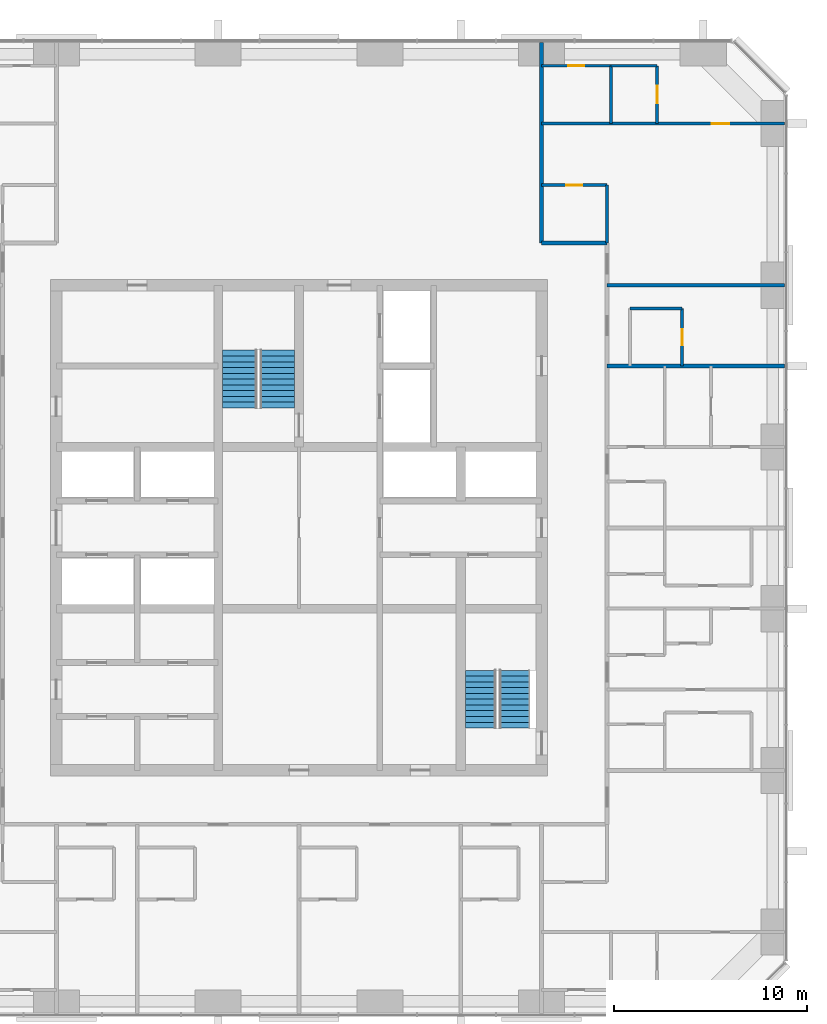
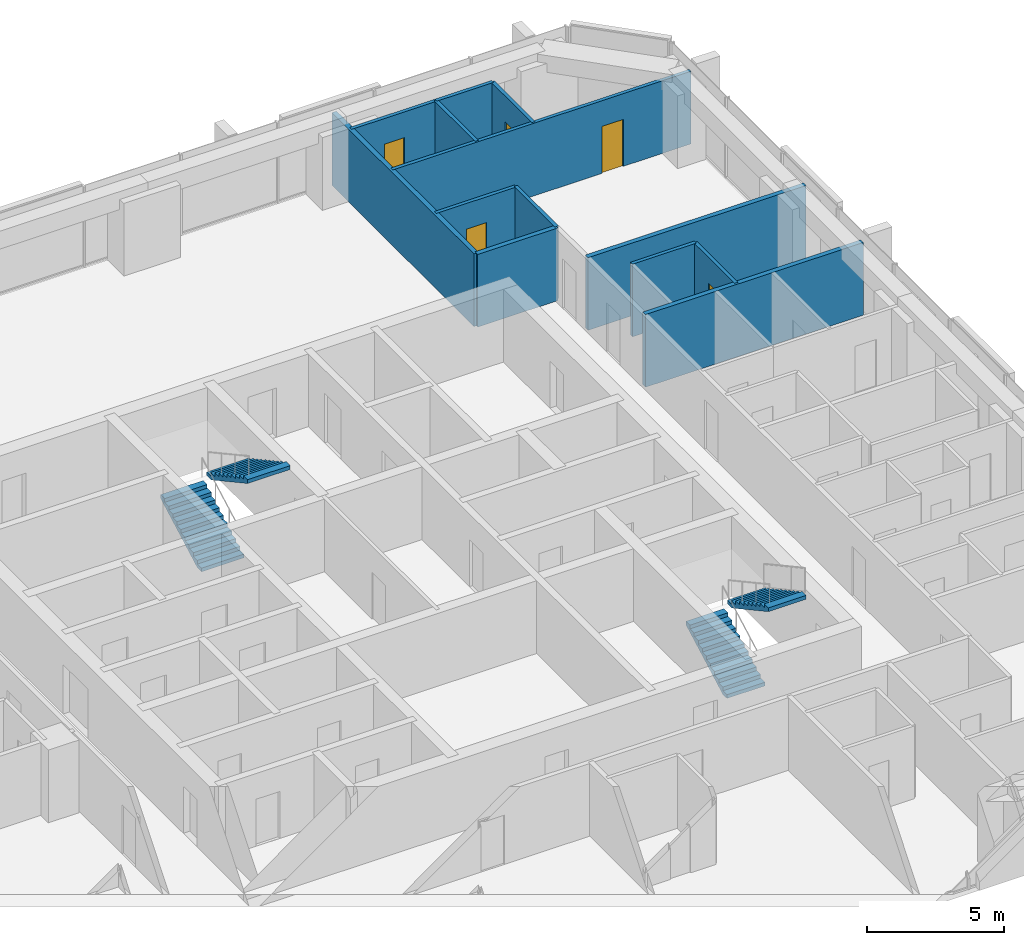
# One storey, part 12 of 13: 13 walls, 5 doors, 4 stair flights, 5 openings, 2 elements without a shape of their own.
"""IFC4 building model written with IfcOpenShell, lengths in metres."""

from ifc_helpers import new_model, si_unit, direction, frame, frame_2d, origin, place, context, subcontext, project, spatial, polyline, rectangle, outline, extrude, material, layer, layer_set, type_object, element, fill, aggregate, save


model = new_model("IFC4")

# Units and contexts
model_context = context("Model", 3, precision=1e-05, world=origin(), true_north=direction((0.0, 1.0)))
body_context = subcontext(model_context, "Body", "Model", "MODEL_VIEW")
ifc_project = project(units=[si_unit("LENGTHUNIT", "METRE"), si_unit("AREAUNIT", "SQUARE_METRE"), si_unit("VOLUMEUNIT", "CUBIC_METRE"), si_unit("PLANEANGLEUNIT", "RADIAN"), si_unit("MASSUNIT", "GRAM", prefix="KILO")], contexts=[model_context])

# Site, building, storey
site_placement = place(None, origin())
site = spatial("IfcSite", under=ifc_project, at=site_placement, CompositionType="ELEMENT")
building_placement = place(site_placement, origin())
building = spatial("IfcBuilding", under=site, at=building_placement, Name="Dunama Terrace Hotel", CompositionType="ELEMENT")
storey_placement = place(building_placement, frame((0.0, 0.0, 191.39990234375)))
storey = spatial("IfcBuildingStorey", under=building, at=storey_placement, Name="L49", CompositionType="ELEMENT", Elevation=191.39990234375)

# Wall
ifc_material_1 = material(Name="Gypsum board partition", Category="masonry")
ifc_layer_1 = layer(ifc_material_1, 0.14990234375)
ifc_layer_set_1 = layer_set([ifc_layer_1], Name="Bathroom partition 150")
wall_type_1 = type_object("IfcWallType", Name="Bathroom partition 150", PredefinedType="PARTITIONING", material=ifc_layer_set_1)
wall_1_placement = place(storey_placement, frame((45.39990234375, 44.199951171875, 0.0), z_axis=(0.0, 0.0, 1.0), x_axis=(0.0, 1.0, 0.0)))
element("IfcWall", 1, at=wall_1_placement, inside=storey, type_object=wall_type_1, Name="Bathroom partition 150 L49", PredefinedType="PARTITIONING", context=body_context, shape_type="SweptSolid", body=[
    extrude(rectangle(XDim=3.0, YDim=0.14990234375, at=frame_2d((1.5, 0.0))), origin(), (0.0, 0.0, 1.0), 3.25),
])

# Wall, opening, door
wall_2_placement = place(storey_placement, frame((49.300048828125, 37.800048828125, 0.0), z_axis=(0.0, 0.0, 1.0), x_axis=(0.0, 1.0, 0.0)))
wall_2 = element("IfcWall", 2, at=wall_2_placement, inside=storey, type_object=wall_type_1, Name="Bathroom partition 150 L49", PredefinedType="PARTITIONING", context=body_context, shape_type="SweptSolid", body=[
    extrude(rectangle(XDim=3.0, YDim=0.14990234375, at=frame_2d((1.5, 0.0))), origin(), (0.0, 0.0, 1.0), 3.25),
])
opening_1_placement = place(wall_2_placement, frame((1.074951171875, 0.0, 0.0)))
opening_1 = element("IfcOpeningElement", 3, at=opening_1_placement, cuts=wall_2, Name="Opening L48-50-032", PredefinedType="OPENING", context=body_context, shape_type="SweptSolid", body=[
    extrude(rectangle(XDim=0.85009765625, YDim=2.10009765625, at=frame_2d((0.425048828125, 1.050048828125))), frame((0.0, 0.0849609375, 0.0), z_axis=(0.0, -1.0, 0.0), x_axis=(1.0, 0.0, 0.0)), (0.0, 0.0, 1.0), 0.169921875),
])
ifc_material_2 = material(Name="Timber door with steel frame", Category="steel")
door_type_1 = type_object("IfcDoorType", Name="Bathroom door 850", OperationType="SINGLE_SWING_LEFT", PredefinedType="DOOR", material=ifc_material_2)
door_1_placement = place(opening_1_placement, origin())
door_1 = element("IfcDoor", 4, at=door_1_placement, inside=storey, type_object=door_type_1, Name="Door to en-suite bathroom L48-50-032, type D2", OperationType="SINGLE_SWING_LEFT", OverallHeight=2.10009765625, OverallWidth=0.85009765625, PredefinedType="DOOR", context=body_context, shape_type="SweptSolid", body=[
    extrude(rectangle(XDim=0.85009765625, YDim=2.10009765625, at=frame_2d((0.425048828125, 1.050048828125))), frame((0.0, 0.02490234375, 0.0), z_axis=(0.0, -1.0, 0.0), x_axis=(1.0, 0.0, 0.0)), (0.0, 0.0, 1.0), 0.050048828125),
])
fill(opening_1, door_1)

# Wall
wall_3_placement = place(storey_placement, frame((46.60009765625, 40.800048828125, 0.0), z_axis=(0.0, 0.0, 1.0), x_axis=(1.0, 0.0, 0.0)))
element("IfcWall", 5, at=wall_3_placement, inside=storey, type_object=wall_type_1, Name="Bathroom partition 150 L49", PredefinedType="PARTITIONING", context=body_context, shape_type="SweptSolid", body=[
    extrude(rectangle(XDim=2.699951171875, YDim=0.14990234375, at=frame_2d((1.35009765625, 0.0))), origin(), (0.0, 0.0, 1.0), 3.25),
])

# Wall, opening, door
wall_4_placement = place(storey_placement, frame((42.0, 47.199951171875, 0.0), z_axis=(0.0, 0.0, 1.0), x_axis=(1.0, 0.0, 0.0)))
wall_4 = element("IfcWall", 6, at=wall_4_placement, inside=storey, type_object=wall_type_1, Name="Bathroom partition 150 L49", PredefinedType="PARTITIONING", context=body_context, shape_type="SweptSolid", body=[
    extrude(rectangle(XDim=3.39990234375, YDim=0.14990234375, at=frame_2d((1.699951171875, 0.0))), origin(), (0.0, 0.0, 1.0), 3.25),
])
opening_2_placement = place(wall_4_placement, frame((1.27490234375, 0.0, 0.0)))
opening_2 = element("IfcOpeningElement", 7, at=opening_2_placement, cuts=wall_4, Name="Opening L48-50-050", PredefinedType="OPENING", context=body_context, shape_type="SweptSolid", body=[
    extrude(rectangle(XDim=0.85009765625, YDim=2.10009765625, at=frame_2d((0.425048828125, 1.050048828125))), frame((0.0, 0.0849609375, 0.0), z_axis=(0.0, -1.0, 0.0), x_axis=(1.0, 0.0, 0.0)), (0.0, 0.0, 1.0), 0.169921875),
])
door_2_placement = place(opening_2_placement, frame((0.85009765625, 0.0, 0.0), z_axis=(0.0, 0.0, 1.0), x_axis=(-1.0, 0.0, 0.0)))
door_2 = element("IfcDoor", 8, at=door_2_placement, inside=storey, type_object=door_type_1, Name="Door to powder room L48-50-050, type D2", OperationType="SINGLE_SWING_RIGHT", OverallHeight=2.10009765625, OverallWidth=0.85009765625, PredefinedType="DOOR", context=body_context, shape_type="SweptSolid", body=[
    extrude(rectangle(XDim=0.85009765625, YDim=2.10009765625, at=frame_2d((0.425048828125, 1.050048828125))), frame((0.0, 0.025146484375, 0.0), z_axis=(0.0, -1.0, 0.0), x_axis=(1.0, 0.0, 0.0)), (0.0, 0.0, 1.0), 0.050048828125),
])
fill(opening_2, door_2)

wall_5_placement = place(storey_placement, frame((42.0, 53.39990234375, 0.0), z_axis=(0.0, 0.0, 1.0), x_axis=(1.0, 0.0, 0.0)))
wall_5 = element("IfcWall", 9, at=wall_5_placement, inside=storey, type_object=wall_type_1, Name="Bathroom partition 150 L49", PredefinedType="PARTITIONING", context=body_context, shape_type="SweptSolid", body=[
    extrude(rectangle(XDim=3.60009765625, YDim=0.14990234375, at=frame_2d((1.800048828125, 0.0))), origin(), (0.0, 0.0, 1.0), 3.25),
])
opening_3_placement = place(wall_5_placement, frame((1.375, 0.0, 0.0)))
opening_3 = element("IfcOpeningElement", 10, at=opening_3_placement, cuts=wall_5, Name="Opening L48-50-052", PredefinedType="OPENING", context=body_context, shape_type="SweptSolid", body=[
    extrude(rectangle(XDim=0.85009765625, YDim=2.10009765625, at=frame_2d((0.425048828125, 1.050048828125))), frame((0.0, 0.0849609375, 0.0), z_axis=(0.0, -1.0, 0.0), x_axis=(1.0, 0.0, 0.0)), (0.0, 0.0, 1.0), 0.169921875),
])
door_3_placement = place(opening_3_placement, frame((0.85009765625, 0.0, 0.0), z_axis=(0.0, 0.0, 1.0), x_axis=(-1.0, 0.0, 0.0)))
door_3 = element("IfcDoor", 11, at=door_3_placement, inside=storey, type_object=door_type_1, Name="Door to en-suite bathroom L48-50-052, type D2", OperationType="SINGLE_SWING_RIGHT", OverallHeight=2.10009765625, OverallWidth=0.85009765625, PredefinedType="DOOR", context=body_context, shape_type="SweptSolid", body=[
    extrude(rectangle(XDim=0.85009765625, YDim=2.10009765625, at=frame_2d((0.425048828125, 1.050048828125))), frame((0.0, 0.025146484375, 0.0), z_axis=(0.0, -1.0, 0.0), x_axis=(1.0, 0.0, 0.0)), (0.0, 0.0, 1.0), 0.050048828125),
])
fill(opening_3, door_3)

# Walls
ifc_material_3 = material(Name="Concrete blockwork", Category="masonry")
ifc_layer_2 = layer(ifc_material_3, 0.199951171875)
ifc_layer_set_2 = layer_set([ifc_layer_2], Name="Corridor partition 200")
wall_type_2 = type_object("IfcWallType", Name="Corridor partition 200", PredefinedType="PARTITIONING", material=ifc_layer_set_2)
wall_6_placement = place(storey_placement, frame((42.0, 44.199951171875, 0.0), z_axis=(0.0, 0.0, 1.0), x_axis=(1.0, 0.0, 0.0)))
element("IfcWall", 12, at=wall_6_placement, inside=storey, type_object=wall_type_2, Name="Corridor partition 200 L49", PredefinedType="PARTITIONING", context=body_context, shape_type="SweptSolid", body=[
    extrude(rectangle(XDim=3.39990234375, YDim=0.199951171875, at=frame_2d((1.699951171875, 0.0))), origin(), (0.0, 0.0, 1.0), 3.25),
])
wall_7_placement = place(storey_placement, frame((42.0, 54.617919921875, 0.0), z_axis=(0.0, 0.0, 1.0), x_axis=(0.0, -1.0, 0.0)))
element("IfcWall", 13, at=wall_7_placement, inside=storey, type_object=wall_type_2, Name="Corridor partition 200 L49", PredefinedType="PARTITIONING", context=body_context, shape_type="SweptSolid", body=[
    extrude(rectangle(XDim=10.41796875, YDim=0.199951171875, at=frame_2d((5.208984375, 0.0))), origin(), (0.0, 0.0, 1.0), 3.25),
])
ifc_material_4 = material(Name="Concrete blockwork", Category="masonry")
ifc_layer_3 = layer(ifc_material_4, 0.199951171875)
ifc_layer_set_3 = layer_set([ifc_layer_3], Name="Party wall 200")
wall_type_3 = type_object("IfcWallType", Name="Party wall 200", PredefinedType="PARTITIONING", material=ifc_layer_set_3)
for number, where, z_axis, x_axis, name in (
    (14, (45.39990234375, 37.800048828125, 0.0), (0.0, 0.0, 1.0), (1.0, 0.0, 0.0), "Party wall 200 L49"),
    (15, (45.39990234375, 42.0, 0.0), (0.0, 0.0, 1.0), (1.0, 0.0, 0.0), "Party wall 200 L49"),
):
    element("IfcWall", number, at=place(storey_placement, frame(where, z_axis=z_axis, x_axis=x_axis)), inside=storey, type_object=wall_type_3, Name=name, PredefinedType="PARTITIONING", context=body_context, shape_type="SweptSolid", body=[
        extrude(rectangle(XDim=9.218017578125, YDim=0.199951171875, at=frame_2d((4.60888671875, 0.0))), origin(), (0.0, 0.0, 1.0), 3.25),
    ])
ifc_material_5 = material(Name="Gypsum board partition", Category="masonry")
ifc_layer_4 = layer(ifc_material_5, 0.14990234375)
ifc_layer_set_4 = layer_set([ifc_layer_4], Name="Room partition 150")
wall_type_4 = type_object("IfcWallType", Name="Room partition 150", PredefinedType="PARTITIONING", material=ifc_layer_set_4)
wall_8_placement = place(storey_placement, frame((45.60009765625, 50.39990234375, 0.0), z_axis=(0.0, 0.0, 1.0), x_axis=(0.0, 1.0, 0.0)))
element("IfcWall", 16, at=wall_8_placement, inside=storey, type_object=wall_type_4, Name="Room partition 150 L49", PredefinedType="PARTITIONING", context=body_context, shape_type="SweptSolid", body=[
    extrude(rectangle(XDim=3.0, YDim=0.14990234375, at=frame_2d((1.5, 0.0))), origin(), (0.0, 0.0, 1.0), 3.25),
])

# Wall, opening, door
wall_9_placement = place(storey_placement, frame((48.0, 50.39990234375, 0.0), z_axis=(0.0, 0.0, 1.0), x_axis=(0.0, 1.0, 0.0)))
wall_9 = element("IfcWall", 17, at=wall_9_placement, inside=storey, type_object=wall_type_4, Name="Room partition 150 L49", PredefinedType="PARTITIONING", context=body_context, shape_type="SweptSolid", body=[
    extrude(rectangle(XDim=3.0, YDim=0.14990234375, at=frame_2d((1.5, 0.0))), origin(), (0.0, 0.0, 1.0), 3.25),
])
opening_4_placement = place(wall_9_placement, frame((1.050048828125, 0.0, 0.0)))
opening_4 = element("IfcOpeningElement", 18, at=opening_4_placement, cuts=wall_9, Name="Opening L48-50-053", PredefinedType="OPENING", context=body_context, shape_type="SweptSolid", body=[
    extrude(rectangle(XDim=0.89990234375, YDim=2.10009765625, at=frame_2d((0.449951171875, 1.050048828125))), frame((0.0, 0.0849609375, 0.0), z_axis=(0.0, -1.0, 0.0), x_axis=(1.0, 0.0, 0.0)), (0.0, 0.0, 1.0), 0.169921875),
])
ifc_material_6 = material(Name="Timber door with steel frame", Category="steel")
door_type_2 = type_object("IfcDoorType", Name="Suite internal door 900", OperationType="SINGLE_SWING_LEFT", PredefinedType="DOOR", material=ifc_material_6)
door_4_placement = place(opening_4_placement, origin())
door_4 = element("IfcDoor", 19, at=door_4_placement, inside=storey, type_object=door_type_2, Name="Door to dressing room L48-50-053, type D16", OperationType="SINGLE_SWING_LEFT", OverallHeight=2.10009765625, OverallWidth=0.89990234375, PredefinedType="DOOR", context=body_context, shape_type="SweptSolid", body=[
    extrude(rectangle(XDim=0.89990234375, YDim=2.10009765625, at=frame_2d((0.449951171875, 1.050048828125))), frame((0.0, 0.02490234375, 0.0), z_axis=(0.0, -1.0, 0.0), x_axis=(1.0, 0.0, 0.0)), (0.0, 0.0, 1.0), 0.050048828125),
])
fill(opening_4, door_4)

wall_10_placement = place(storey_placement, frame((42.0, 50.39990234375, 0.0), z_axis=(0.0, 0.0, 1.0), x_axis=(1.0, 0.0, 0.0)))
wall_10 = element("IfcWall", 20, at=wall_10_placement, inside=storey, type_object=wall_type_4, Name="Room partition 150 L49", PredefinedType="PARTITIONING", context=body_context, shape_type="SweptSolid", body=[
    extrude(rectangle(XDim=12.617919921875, YDim=0.14990234375, at=frame_2d((6.30908203125, 0.0))), origin(), (0.0, 0.0, 1.0), 3.25),
])
opening_5_placement = place(wall_10_placement, frame((8.85009765625, 0.0, 0.0)))
opening_5 = element("IfcOpeningElement", 21, at=opening_5_placement, cuts=wall_10, Name="Opening L48-50-051", PredefinedType="OPENING", context=body_context, shape_type="SweptSolid", body=[
    extrude(rectangle(XDim=0.89990234375, YDim=2.10009765625, at=frame_2d((0.449951171875, 1.050048828125))), frame((0.0, 0.0849609375, 0.0), z_axis=(0.0, -1.0, 0.0), x_axis=(1.0, 0.0, 0.0)), (0.0, 0.0, 1.0), 0.169921875),
])
door_5_placement = place(opening_5_placement, origin())
door_5 = element("IfcDoor", 22, at=door_5_placement, inside=storey, type_object=door_type_2, Name="Door to corner suite bedroom L48-50-051, type D16", OperationType="SINGLE_SWING_RIGHT", OverallHeight=2.10009765625, OverallWidth=0.89990234375, PredefinedType="DOOR", context=body_context, shape_type="SweptSolid", body=[
    extrude(rectangle(XDim=0.89990234375, YDim=2.10009765625, at=frame_2d((0.449951171875, 1.050048828125))), frame((0.0, 0.02490234375, 0.0), z_axis=(0.0, -1.0, 0.0), x_axis=(1.0, 0.0, 0.0)), (0.0, 0.0, 1.0), 0.050048828125),
])
fill(opening_5, door_5)

# Wall
wall_11_placement = place(storey_placement, frame((45.60009765625, 53.39990234375, 0.0), z_axis=(0.0, 0.0, 1.0), x_axis=(1.0, 0.0, 0.0)))
element("IfcWall", 23, at=wall_11_placement, inside=storey, type_object=wall_type_4, Name="Room partition 150 L49", PredefinedType="PARTITIONING", context=body_context, shape_type="SweptSolid", body=[
    extrude(rectangle(XDim=2.39990234375, YDim=0.14990234375, at=frame_2d((1.199951171875, 0.0))), origin(), (0.0, 0.0, 1.0), 3.25),
])

# Stair, stair flights
ifc_material_7 = material(Name="Concrete C40/50", Category="concrete")
stair_type_1 = type_object("IfcStairType", Name="Stair ST1-3600-1800", PredefinedType="HALF_TURN_STAIR", material=ifc_material_7)
stair_1_placement = place(storey_placement, origin())
stair_1 = element("IfcStair", 24, at=stair_1_placement, inside=storey, type_object=stair_type_1, Name="Stair ST1 L49", PredefinedType="HALF_TURN_STAIR")
ifc_material_8 = material(Name="Concrete C40/50", Category="concrete")
stair_flight_type_1 = type_object("IfcStairFlightType", Name="Stair flight ST1-3600-1800", PredefinedType="STRAIGHT", material=ifc_material_8)
stair_flight_1_placement = place(storey_placement, frame((26.324951171875, 35.625, 0.0), z_axis=(0.0, 0.0, 1.0), x_axis=(0.0, 1.0, 0.0)))
stair_flight_1 = element("IfcStairFlight", 25, at=stair_flight_1_placement, type_object=stair_flight_type_1, Name="ST1 flight 1", NumberOfRisers=11, NumberOfTreads=10, PredefinedType="STRAIGHT", RiserHeight=0.163636364, TreadLength=0.3, context=body_context, shape_type="SweptSolid", body=[
    extrude(outline(polyline([(0.0, 0.0), (0.0, 0.16357421875), (0.300048828125, 0.16357421875), (0.300048828125, 0.327392578125), (0.60009765625, 0.327392578125), (0.60009765625, 0.490966796875), (0.89990234375, 0.490966796875), (0.89990234375, 0.654541015625), (1.199951171875, 0.654541015625), (1.199951171875, 0.818115234375), (1.5, 0.818115234375), (1.5, 0.98193359375), (1.800048828125, 0.98193359375), (1.800048828125, 1.1455078125), (2.10009765625, 1.1455078125), (2.10009765625, 1.30908203125), (2.39990234375, 1.30908203125), (2.39990234375, 1.47265625), (2.699951171875, 1.47265625), (2.699951171875, 1.636474609375), (3.0, 1.636474609375), (3.0, 1.800048828125), (3.0, 1.465576171875), (0.31298828125, 0.0), (0.0, 0.0)])), frame((0.0, 0.89990234375, 0.0), z_axis=(0.0, -1.0, 0.0), x_axis=(1.0, 0.0, 0.0)), (0.0, 0.0, 1.0), 1.800048828125),
])
stair_flight_2_placement = place(storey_placement, frame((28.27490234375, 38.625, 1.800048828125), z_axis=(0.0, 0.0, 1.0), x_axis=(0.0, -1.0, 0.0)))
stair_flight_2 = element("IfcStairFlight", 26, at=stair_flight_2_placement, type_object=stair_flight_type_1, Name="ST1 flight 2", NumberOfRisers=11, NumberOfTreads=10, PredefinedType="STRAIGHT", RiserHeight=0.163636364, TreadLength=0.3, context=body_context, shape_type="SweptSolid", body=[
    extrude(outline(polyline([(0.0, 0.0), (0.0, 0.16357421875), (0.300048828125, 0.16357421875), (0.300048828125, 0.327392578125), (0.60009765625, 0.327392578125), (0.60009765625, 0.490966796875), (0.89990234375, 0.490966796875), (0.89990234375, 0.654541015625), (1.199951171875, 0.654541015625), (1.199951171875, 0.818115234375), (1.5, 0.818115234375), (1.5, 0.98193359375), (1.800048828125, 0.98193359375), (1.800048828125, 1.1455078125), (2.10009765625, 1.1455078125), (2.10009765625, 1.30908203125), (2.39990234375, 1.30908203125), (2.39990234375, 1.47265625), (2.699951171875, 1.47265625), (2.699951171875, 1.636474609375), (3.0, 1.636474609375), (3.0, 1.800048828125), (3.0, 1.465576171875), (0.31298828125, 0.0), (0.0, 0.0)])), frame((0.0, 0.89990234375, 0.0), z_axis=(0.0, -1.0, 0.0), x_axis=(1.0, 0.0, 0.0)), (0.0, 0.0, 1.0), 1.800048828125),
])
aggregate(stair_1, [stair_flight_1, stair_flight_2])

ifc_material_9 = material(Name="Concrete C40/50", Category="concrete")
stair_type_2 = type_object("IfcStairType", Name="Stair ST2-3600-1600", PredefinedType="HALF_TURN_STAIR", material=ifc_material_9)
stair_2_placement = place(storey_placement, origin())
stair_2 = element("IfcStair", 27, at=stair_2_placement, inside=storey, type_object=stair_type_2, Name="Stair ST2 L49", PredefinedType="HALF_TURN_STAIR")
ifc_material_10 = material(Name="Concrete C40/50", Category="concrete")
stair_flight_type_2 = type_object("IfcStairFlightType", Name="Stair flight ST2-3600-1600", PredefinedType="STRAIGHT", material=ifc_material_10)
stair_flight_3_placement = place(storey_placement, frame((38.85009765625, 19.0, 0.0), z_axis=(0.0, 0.0, 1.0), x_axis=(0.0, 1.0, 0.0)))
stair_flight_3 = element("IfcStairFlight", 28, at=stair_flight_3_placement, type_object=stair_flight_type_2, Name="ST2 flight 1", NumberOfRisers=11, NumberOfTreads=10, PredefinedType="STRAIGHT", RiserHeight=0.163636364, TreadLength=0.3, context=body_context, shape_type="SweptSolid", body=[
    extrude(outline(polyline([(0.0, 0.0), (0.0, 0.16357421875), (0.300048828125, 0.16357421875), (0.300048828125, 0.327392578125), (0.60009765625, 0.327392578125), (0.60009765625, 0.490966796875), (0.89990234375, 0.490966796875), (0.89990234375, 0.654541015625), (1.199951171875, 0.654541015625), (1.199951171875, 0.818115234375), (1.5, 0.818115234375), (1.5, 0.98193359375), (1.800048828125, 0.98193359375), (1.800048828125, 1.1455078125), (2.10009765625, 1.1455078125), (2.10009765625, 1.30908203125), (2.39990234375, 1.30908203125), (2.39990234375, 1.47265625), (2.699951171875, 1.47265625), (2.699951171875, 1.636474609375), (3.0, 1.636474609375), (3.0, 1.800048828125), (3.0, 1.465576171875), (0.31298828125, 0.0), (0.0, 0.0)])), frame((0.0, 0.800048828125, 0.0), z_axis=(0.0, -1.0, 0.0), x_axis=(1.0, 0.0, 0.0)), (0.0, 0.0, 1.0), 1.60009765625),
])
stair_flight_4_placement = place(storey_placement, frame((40.60009765625, 22.0, 1.800048828125), z_axis=(0.0, 0.0, 1.0), x_axis=(0.0, -1.0, 0.0)))
stair_flight_4 = element("IfcStairFlight", 29, at=stair_flight_4_placement, type_object=stair_flight_type_2, Name="ST2 flight 2", NumberOfRisers=11, NumberOfTreads=10, PredefinedType="STRAIGHT", RiserHeight=0.163636364, TreadLength=0.3, context=body_context, shape_type="SweptSolid", body=[
    extrude(outline(polyline([(0.0, 0.0), (0.0, 0.16357421875), (0.300048828125, 0.16357421875), (0.300048828125, 0.327392578125), (0.60009765625, 0.327392578125), (0.60009765625, 0.490966796875), (0.89990234375, 0.490966796875), (0.89990234375, 0.654541015625), (1.199951171875, 0.654541015625), (1.199951171875, 0.818115234375), (1.5, 0.818115234375), (1.5, 0.98193359375), (1.800048828125, 0.98193359375), (1.800048828125, 1.1455078125), (2.10009765625, 1.1455078125), (2.10009765625, 1.30908203125), (2.39990234375, 1.30908203125), (2.39990234375, 1.47265625), (2.699951171875, 1.47265625), (2.699951171875, 1.636474609375), (3.0, 1.636474609375), (3.0, 1.800048828125), (3.0, 1.465576171875), (0.31298828125, 0.0), (0.0, 0.0)])), frame((0.0, 0.800048828125, 0.0), z_axis=(0.0, -1.0, 0.0), x_axis=(1.0, 0.0, 0.0)), (0.0, 0.0, 1.0), 1.60009765625),
])
aggregate(stair_2, [stair_flight_3, stair_flight_4])

save(model, "model.ifc")
